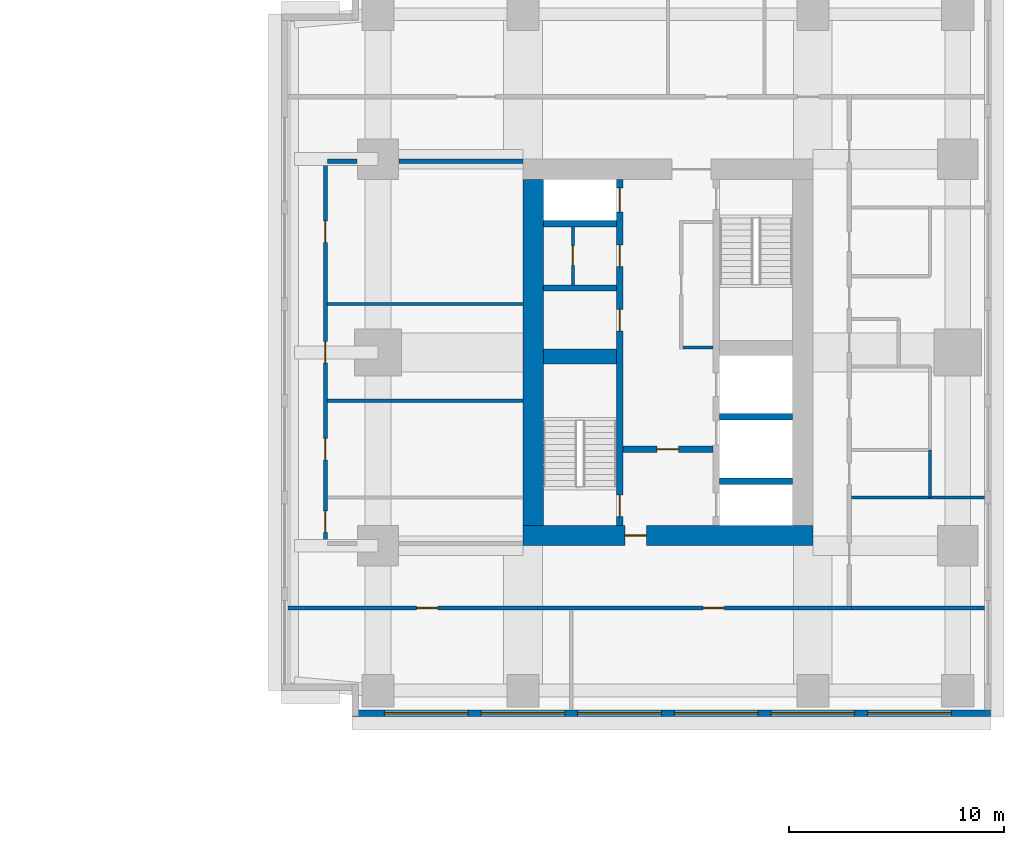
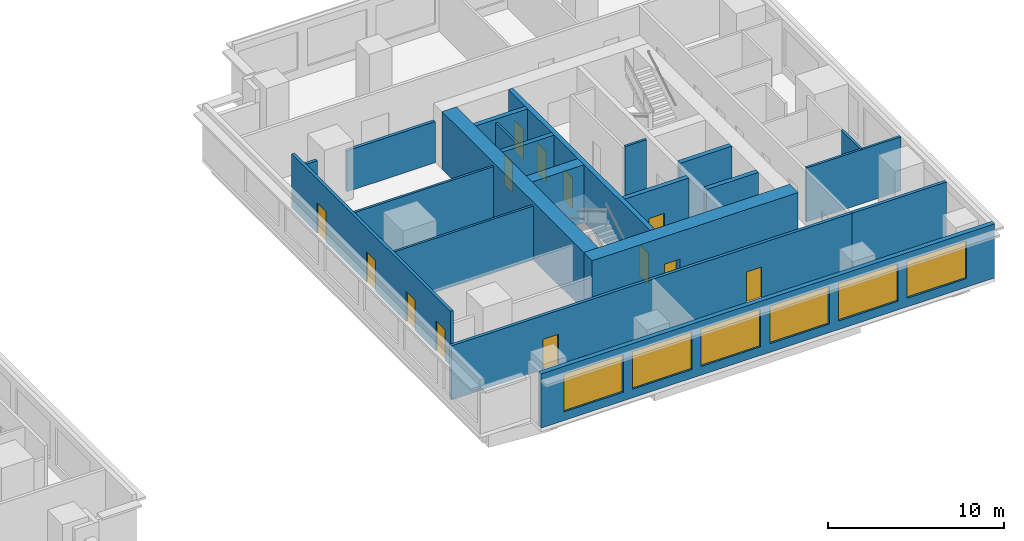
# One storey, part 6 of 10: 21 walls, 13 doors, 6 windows, 19 openings.
"""IFC4 building model written with IfcOpenShell, lengths in metres."""

from ifc_helpers import new_model, si_unit, direction, frame, frame_2d, origin, place, context, subcontext, project, spatial, rectangle, extrude, material, layer, layer_set, type_object, element, fill, save


model = new_model("IFC4")

# Units and contexts
model_context = context("Model", 3, precision=1e-05, world=origin(), true_north=direction((0.0, 1.0)))
body_context = subcontext(model_context, "Body", "Model", "MODEL_VIEW")
ifc_project = project(units=[si_unit("LENGTHUNIT", "METRE"), si_unit("AREAUNIT", "SQUARE_METRE"), si_unit("VOLUMEUNIT", "CUBIC_METRE"), si_unit("PLANEANGLEUNIT", "RADIAN"), si_unit("MASSUNIT", "GRAM", prefix="KILO")], contexts=[model_context])

# Site, building, storey
site_placement = place(None, origin())
site = spatial("IfcSite", under=ifc_project, at=site_placement, CompositionType="ELEMENT")
building_placement = place(site_placement, origin())
building = spatial("IfcBuilding", under=site, at=building_placement, Name="Namib Vertical Campus", CompositionType="ELEMENT")
storey_placement = place(building_placement, frame((0.0, 0.0, 153.0)))
storey = spatial("IfcBuildingStorey", under=building, at=storey_placement, Name="L36", CompositionType="ELEMENT", Elevation=153.0)

# Wall, openings, doors
ifc_material_1 = material(Name="Concrete C60/75", Category="concrete")
ifc_layer_1 = layer(ifc_material_1, 0.300048828125)
ifc_layer_set_1 = layer_set([ifc_layer_1], Name="Concrete C60/75")
wall_type_1 = type_object("IfcWallType", Name="Core inner wall 300", PredefinedType="SHEAR", material=ifc_layer_set_1)
wall_1_placement = place(storey_placement, frame((78.75, 12.199951171875, 0.0), z_axis=(0.0, 0.0, 1.0), x_axis=(0.0, 1.0, 0.0)))
wall_1 = element("IfcWall", 1, at=wall_1_placement, inside=storey, type_object=wall_type_1, Name="Core inner wall B L36 W1", PredefinedType="SHEAR", context=body_context, shape_type="SweptSolid", body=[
    extrude(rectangle(XDim=16.10009765625, YDim=0.300048828125, at=frame_2d((8.050048828125, 0.0))), origin(), (0.0, 0.0, 1.0), 4.0),
])
opening_1_placement = place(wall_1_placement, frame((0.39990234375, 0.0, 0.0)))
opening_1 = element("IfcOpeningElement", 2, at=opening_1_placement, cuts=wall_1, Name="Opening FD1", PredefinedType="OPENING", context=body_context, shape_type="SweptSolid", body=[
    extrude(rectangle(XDim=1.0, YDim=2.10009765625, at=frame_2d((0.5, 1.050048828125))), frame((0.0, 0.159912109375, 0.0), z_axis=(0.0, -1.0, 0.0), x_axis=(1.0, 0.0, 0.0)), (0.0, 0.0, 1.0), 0.320068359375),
])
opening_2_placement = place(wall_1_placement, frame((14.60009765625, 0.0, 0.0)))
opening_2 = element("IfcOpeningElement", 3, at=opening_2_placement, cuts=wall_1, Name="Opening LD1", PredefinedType="OPENING", context=body_context, shape_type="SweptSolid", body=[
    extrude(rectangle(XDim=1.10009765625, YDim=2.10009765625, at=frame_2d((0.550048828125, 1.050048828125))), frame((0.0, 0.159912109375, 0.0), z_axis=(0.0, -1.0, 0.0), x_axis=(1.0, 0.0, 0.0)), (0.0, 0.0, 1.0), 0.320068359375),
])
opening_3_placement = place(wall_1_placement, frame((9.050048828125, 0.0, 0.0)))
opening_3 = element("IfcOpeningElement", 4, at=opening_3_placement, cuts=wall_1, Name="Opening D1", PredefinedType="OPENING", context=body_context, shape_type="SweptSolid", body=[
    extrude(rectangle(XDim=1.0, YDim=2.10009765625, at=frame_2d((0.5, 1.050048828125))), frame((0.0, 0.159912109375, 0.0), z_axis=(0.0, -1.0, 0.0), x_axis=(1.0, 0.0, 0.0)), (0.0, 0.0, 1.0), 0.320068359375),
])
opening_4_placement = place(wall_1_placement, frame((12.050048828125, 0.0, 0.0)))
opening_4 = element("IfcOpeningElement", 5, at=opening_4_placement, cuts=wall_1, Name="Opening D1", PredefinedType="OPENING", context=body_context, shape_type="SweptSolid", body=[
    extrude(rectangle(XDim=1.0, YDim=2.10009765625, at=frame_2d((0.5, 1.050048828125))), frame((0.0, 0.159912109375, 0.0), z_axis=(0.0, -1.0, 0.0), x_axis=(1.0, 0.0, 0.0)), (0.0, 0.0, 1.0), 0.320068359375),
])
ifc_material_2 = material(Name="Timber door leaf", Category="wood")
door_type_1 = type_object("IfcDoorType", Name="Door single 1000x2100", OperationType="SINGLE_SWING_LEFT", PredefinedType="DOOR", material=ifc_material_2)
door_1_placement = place(opening_3_placement, origin())
door_1 = element("IfcDoor", 6, at=door_1_placement, inside=storey, type_object=door_type_1, Name="Door D1 Staff pantry B L36 P1", OperationType="SINGLE_SWING_LEFT", OverallHeight=2.10009765625, OverallWidth=1.0, PredefinedType="DOOR", context=body_context, shape_type="SweptSolid", body=[
    extrude(rectangle(XDim=1.0, YDim=2.10009765625, at=frame_2d((0.5, 1.050048828125))), frame((0.0, 0.02490234375, 0.0), z_axis=(0.0, -1.0, 0.0), x_axis=(1.0, 0.0, 0.0)), (0.0, 0.0, 1.0), 0.050048828125),
])
fill(opening_3, door_1)
door_2_placement = place(opening_4_placement, origin())
door_2 = element("IfcDoor", 7, at=door_2_placement, inside=storey, type_object=door_type_1, Name="Door D1 Records store B L36 P2", OperationType="SINGLE_SWING_LEFT", OverallHeight=2.10009765625, OverallWidth=1.0, PredefinedType="DOOR", context=body_context, shape_type="SweptSolid", body=[
    extrude(rectangle(XDim=1.0, YDim=2.10009765625, at=frame_2d((0.5, 1.050048828125))), frame((0.0, 0.02490234375, 0.0), z_axis=(0.0, -1.0, 0.0), x_axis=(1.0, 0.0, 0.0)), (0.0, 0.0, 1.0), 0.050048828125),
])
fill(opening_4, door_2)
ifc_material_3 = material(Name="Steel fire door", Category="steel")
door_type_2 = type_object("IfcDoorType", Name="Fire door 1000x2100", OperationType="SINGLE_SWING_RIGHT", PredefinedType="DOOR", material=ifc_material_3)
door_3_placement = place(opening_1_placement, origin())
door_3 = element("IfcDoor", 8, at=door_3_placement, inside=storey, type_object=door_type_2, Name="Stair door FD1 B L36 S1", OperationType="SINGLE_SWING_LEFT", OverallHeight=2.10009765625, OverallWidth=1.0, PredefinedType="DOOR", context=body_context, shape_type="SweptSolid", body=[
    extrude(rectangle(XDim=1.0, YDim=2.10009765625, at=frame_2d((0.5, 1.050048828125))), frame((0.0, 0.02490234375, 0.0), z_axis=(0.0, -1.0, 0.0), x_axis=(1.0, 0.0, 0.0)), (0.0, 0.0, 1.0), 0.050048828125),
])
fill(opening_1, door_3)
ifc_material_4 = material(Name="Stainless steel lift door", Category="steel")
door_type_3 = type_object("IfcDoorType", Name="Lift landing door 1100x2100", OperationType="DOUBLE_DOOR_SLIDING", PredefinedType="DOOR", material=ifc_material_4)
door_4_placement = place(opening_2_placement, origin())
door_4 = element("IfcDoor", 9, at=door_4_placement, inside=storey, type_object=door_type_3, Name="Lift landing door LD1 B-P3 L36", OperationType="DOUBLE_DOOR_SLIDING", OverallHeight=2.10009765625, OverallWidth=1.10009765625, PredefinedType="DOOR", context=body_context, shape_type="SweptSolid", body=[
    extrude(rectangle(XDim=1.10009765625, YDim=2.10009765625, at=frame_2d((0.550048828125, 1.050048828125))), frame((0.0, 0.02490234375, 0.0), z_axis=(0.0, -1.0, 0.0), x_axis=(1.0, 0.0, 0.0)), (0.0, 0.0, 1.0), 0.050048828125),
])
fill(opening_2, door_4)

# Wall, opening, door
wall_2_placement = place(storey_placement, frame((78.89990234375, 15.75, 0.0), z_axis=(0.0, 0.0, 1.0), x_axis=(1.0, 0.0, 0.0)))
wall_2 = element("IfcWall", 10, at=wall_2_placement, inside=storey, type_object=wall_type_1, Name="Core inner wall B L36 W4", PredefinedType="SHEAR", context=body_context, shape_type="SweptSolid", body=[
    extrude(rectangle(XDim=4.2001953125, YDim=0.300048828125, at=frame_2d((2.10009765625, 0.0))), origin(), (0.0, 0.0, 1.0), 4.0),
])
opening_5_placement = place(wall_2_placement, frame((1.60009765625, 0.0, 0.0)))
opening_5 = element("IfcOpeningElement", 11, at=opening_5_placement, cuts=wall_2, Name="Opening FD5", PredefinedType="OPENING", context=body_context, shape_type="SweptSolid", body=[
    extrude(rectangle(XDim=1.0, YDim=2.10009765625, at=frame_2d((0.5, 1.050048828125))), frame((0.0, 0.159912109375, 0.0), z_axis=(0.0, -1.0, 0.0), x_axis=(1.0, 0.0, 0.0)), (0.0, 0.0, 1.0), 0.320068359375),
])
ifc_material_5 = material(Name="Steel fire door", Category="steel")
door_type_4 = type_object("IfcDoorType", Name="Fire door 1000x2100 120 min", OperationType="SINGLE_SWING_RIGHT", PredefinedType="DOOR", material=ifc_material_5)
door_5_placement = place(opening_5_placement, frame((1.0, 0.0, 0.0), z_axis=(0.0, 0.0, 1.0), x_axis=(-1.0, 0.0, 0.0)))
door_5 = element("IfcDoor", 12, at=door_5_placement, inside=storey, type_object=door_type_4, Name="Lobby door FD5 B L36", OperationType="SINGLE_SWING_RIGHT", OverallHeight=2.10009765625, OverallWidth=1.0, PredefinedType="DOOR", context=body_context, shape_type="SweptSolid", body=[
    extrude(rectangle(XDim=1.0, YDim=2.10009765625, at=frame_2d((0.5, 1.050048828125))), frame((0.0, 0.02490234375, 0.0), z_axis=(0.0, -1.0, 0.0), x_axis=(1.0, 0.0, 0.0)), (0.0, 0.0, 1.0), 0.050048828125),
])
fill(opening_5, door_5)

# Walls
for number, where, z_axis, x_axis, name in (
    (13, (83.39990234375, 14.25, 0.0), (0.0, 0.0, 1.0), (1.0, 0.0, 0.0), "Core inner wall B L36 W5"),
    (14, (83.39990234375, 17.25, 0.0), (0.0, 0.0, 1.0), (1.0, 0.0, 0.0), "Core inner wall B L36 W6"),
    (15, (75.199951171875, 23.25, 0.0), (0.0, 0.0, 1.0), (1.0, 0.0, 0.0), "Core inner wall B L36 W8"),
    (16, (75.199951171875, 26.25, 0.0), (0.0, 0.0, 1.0), (1.0, 0.0, 0.0), "Core inner wall B L36 W9"),
):
    element("IfcWall", number, at=place(storey_placement, frame(where, z_axis=z_axis, x_axis=x_axis)), inside=storey, type_object=wall_type_1, Name=name, PredefinedType="SHEAR", context=body_context, shape_type="SweptSolid", body=[
        extrude(rectangle(XDim=3.400146484375, YDim=0.300048828125, at=frame_2d((1.7001953125, 0.0))), origin(), (0.0, 0.0, 1.0), 4.0),
    ])
ifc_material_6 = material(Name="Concrete C60/75", Category="concrete")
ifc_layer_2 = layer(ifc_material_6, 0.699951171875)
ifc_layer_set_2 = layer_set([ifc_layer_2], Name="Concrete C60/75")
wall_type_2 = type_object("IfcWallType", Name="Core shear wall 700", PredefinedType="SHEAR", material=ifc_layer_set_2)
wall_3_placement = place(storey_placement, frame((75.199951171875, 20.050048828125, 0.0), z_axis=(0.0, 0.0, 1.0), x_axis=(1.0, 0.0, 0.0)))
element("IfcWall", 17, at=wall_3_placement, inside=storey, type_object=wall_type_2, Name="Core shear wall B L36 W3", PredefinedType="SHEAR", context=body_context, shape_type="SweptSolid", body=[
    extrude(rectangle(XDim=3.400146484375, YDim=0.699951171875, at=frame_2d((1.7001953125, 0.0))), origin(), (0.0, 0.0, 1.0), 4.0),
])

# Wall, opening, door
ifc_material_7 = material(Name="Concrete C60/75", Category="concrete")
ifc_layer_3 = layer(ifc_material_7, 0.949951171875)
ifc_layer_set_3 = layer_set([ifc_layer_3], Name="Concrete C60/75")
wall_type_3 = type_object("IfcWallType", Name="Core wall 950", PredefinedType="SHEAR", material=ifc_layer_set_3)
wall_4_placement = place(storey_placement, frame((74.25, 11.72509765625, 0.0), z_axis=(0.0, 0.0, 1.0), x_axis=(1.0, 0.0, 0.0)))
wall_4 = element("IfcWall", 18, at=wall_4_placement, inside=storey, type_object=wall_type_3, Name="Core wall B L36 1", PredefinedType="SHEAR", context=body_context, shape_type="SweptSolid", body=[
    extrude(rectangle(XDim=13.5, YDim=0.949951171875, at=frame_2d((6.75, 0.0))), origin(), (0.0, 0.0, 1.0), 4.0),
])
opening_6_placement = place(wall_4_placement, frame((4.75, 0.0, 0.0)))
opening_6 = element("IfcOpeningElement", 19, at=opening_6_placement, cuts=wall_4, Name="Opening FD5", PredefinedType="OPENING", context=body_context, shape_type="SweptSolid", body=[
    extrude(rectangle(XDim=1.0, YDim=2.10009765625, at=frame_2d((0.5, 1.050048828125))), frame((0.0, 0.48486328125, 0.0), z_axis=(0.0, -1.0, 0.0), x_axis=(1.0, 0.0, 0.0)), (0.0, 0.0, 1.0), 0.969970703125),
])
door_6_placement = place(opening_6_placement, origin())
door_6 = element("IfcDoor", 20, at=door_6_placement, inside=storey, type_object=door_type_4, Name="Firefighting lobby door FD5 B L36", OperationType="SINGLE_SWING_LEFT", OverallHeight=2.10009765625, OverallWidth=1.0, PredefinedType="DOOR", context=body_context, shape_type="SweptSolid", body=[
    extrude(rectangle(XDim=1.0, YDim=2.10009765625, at=frame_2d((0.5, 1.050048828125))), frame((0.0, 0.02490234375, 0.0), z_axis=(0.0, -1.0, 0.0), x_axis=(1.0, 0.0, 0.0)), (0.0, 0.0, 1.0), 0.050048828125),
])
fill(opening_6, door_6)

# Wall
wall_5_placement = place(storey_placement, frame((74.72509765625, 28.300048828125, 0.0), z_axis=(0.0, 0.0, 1.0), x_axis=(0.0, -1.0, 0.0)))
element("IfcWall", 21, at=wall_5_placement, inside=storey, type_object=wall_type_3, Name="Core wall B L36 4", PredefinedType="SHEAR", context=body_context, shape_type="SweptSolid", body=[
    extrude(rectangle(XDim=16.10009765625, YDim=0.949951171875, at=frame_2d((8.050048828125, 0.0))), origin(), (0.0, 0.0, 1.0), 4.0),
])

# Wall, openings, doors
ifc_material_8 = material(Name="Concrete masonry", Category="masonry")
ifc_layer_4 = layer(ifc_material_8, 0.199951171875)
ifc_layer_set_4 = layer_set([ifc_layer_4], Name="Corridor wall 200")
wall_type_4 = type_object("IfcWallType", Name="Corridor wall 200", PredefinedType="SOLIDWALL", material=ifc_layer_set_4)
wall_6_placement = place(storey_placement, frame((63.300048828125, 8.35009765625, 0.0), z_axis=(0.0, 0.0, 1.0), x_axis=(1.0, 0.0, 0.0)))
wall_6 = element("IfcWall", 22, at=wall_6_placement, inside=storey, type_object=wall_type_4, Name="Corridor wall B L36 CS", PredefinedType="SOLIDWALL", context=body_context, shape_type="SweptSolid", body=[
    extrude(rectangle(XDim=26.25, YDim=0.199951171875, at=frame_2d((13.125, 0.0))), origin(), (0.0, 0.0, 1.0), 3.75),
])
opening_7_placement = place(wall_6_placement, frame((6.0, 0.0, 0.0)))
opening_7 = element("IfcOpeningElement", 23, at=opening_7_placement, cuts=wall_6, Name="Opening CD1", PredefinedType="OPENING", context=body_context, shape_type="SweptSolid", body=[
    extrude(rectangle(XDim=1.0, YDim=2.10009765625, at=frame_2d((0.5, 1.050048828125))), frame((0.0, 0.10986328125, 0.0), z_axis=(0.0, -1.0, 0.0), x_axis=(1.0, 0.0, 0.0)), (0.0, 0.0, 1.0), 0.219970703125),
])
opening_8_placement = place(wall_6_placement, frame((19.324951171875, 0.0, 0.0)))
opening_8 = element("IfcOpeningElement", 24, at=opening_8_placement, cuts=wall_6, Name="Opening CD1", PredefinedType="OPENING", context=body_context, shape_type="SweptSolid", body=[
    extrude(rectangle(XDim=1.0, YDim=2.10009765625, at=frame_2d((0.5, 1.050048828125))), frame((0.0, 0.10986328125, 0.0), z_axis=(0.0, -1.0, 0.0), x_axis=(1.0, 0.0, 0.0)), (0.0, 0.0, 1.0), 0.219970703125),
])
ifc_material_9 = material(Name="Timber fire door leaf", Category="wood")
door_type_5 = type_object("IfcDoorType", Name="Corridor door 1000x2100 20 min", OperationType="SINGLE_SWING_LEFT", PredefinedType="DOOR", material=ifc_material_9)
door_7_placement = place(opening_7_placement, frame((1.0, 0.0, 0.0), z_axis=(0.0, 0.0, 1.0), x_axis=(-1.0, 0.0, 0.0)))
door_7 = element("IfcDoor", 25, at=door_7_placement, inside=storey, type_object=door_type_5, Name="Door CD1 B36-01", OperationType="SINGLE_SWING_LEFT", OverallHeight=2.10009765625, OverallWidth=1.0, PredefinedType="DOOR", context=body_context, shape_type="SweptSolid", body=[
    extrude(rectangle(XDim=1.0, YDim=2.10009765625, at=frame_2d((0.5, 1.050048828125))), frame((0.0, 0.02490234375, 0.0), z_axis=(0.0, -1.0, 0.0), x_axis=(1.0, 0.0, 0.0)), (0.0, 0.0, 1.0), 0.050048828125),
])
fill(opening_7, door_7)
door_8_placement = place(opening_8_placement, frame((1.0, 0.0, 0.0), z_axis=(0.0, 0.0, 1.0), x_axis=(-1.0, 0.0, 0.0)))
door_8 = element("IfcDoor", 26, at=door_8_placement, inside=storey, type_object=door_type_5, Name="Door CD1 B36-02", OperationType="SINGLE_SWING_RIGHT", OverallHeight=2.10009765625, OverallWidth=1.0, PredefinedType="DOOR", context=body_context, shape_type="SweptSolid", body=[
    extrude(rectangle(XDim=1.0, YDim=2.10009765625, at=frame_2d((0.5, 1.050048828125))), frame((0.0, 0.02490234375, 0.0), z_axis=(0.0, -1.0, 0.0), x_axis=(1.0, 0.0, 0.0)), (0.0, 0.0, 1.0), 0.050048828125),
])
fill(opening_8, door_8)

wall_7_placement = place(storey_placement, frame((65.050048828125, 29.25, 0.0), z_axis=(0.0, 0.0, 1.0), x_axis=(0.0, -1.0, 0.0)))
wall_7 = element("IfcWall", 27, at=wall_7_placement, inside=storey, type_object=wall_type_4, Name="Corridor wall B L36 CG", PredefinedType="SOLIDWALL", context=body_context, shape_type="SweptSolid", body=[
    extrude(rectangle(XDim=18.0, YDim=0.199951171875, at=frame_2d((9.0, 0.0))), origin(), (0.0, 0.0, 1.0), 3.75),
])
opening_9_placement = place(wall_7_placement, frame((16.375, 0.0, 0.0)))
opening_9 = element("IfcOpeningElement", 28, at=opening_9_placement, cuts=wall_7, Name="Opening CD1", PredefinedType="OPENING", context=body_context, shape_type="SweptSolid", body=[
    extrude(rectangle(XDim=1.0, YDim=2.10009765625, at=frame_2d((0.5, 1.050048828125))), frame((0.0, 0.10986328125, 0.0), z_axis=(0.0, -1.0, 0.0), x_axis=(1.0, 0.0, 0.0)), (0.0, 0.0, 1.0), 0.219970703125),
])
opening_10_placement = place(wall_7_placement, frame((13.0, 0.0, 0.0)))
opening_10 = element("IfcOpeningElement", 29, at=opening_10_placement, cuts=wall_7, Name="Opening CD1", PredefinedType="OPENING", context=body_context, shape_type="SweptSolid", body=[
    extrude(rectangle(XDim=1.0, YDim=2.10009765625, at=frame_2d((0.5, 1.050048828125))), frame((0.0, 0.10986328125, 0.0), z_axis=(0.0, -1.0, 0.0), x_axis=(1.0, 0.0, 0.0)), (0.0, 0.0, 1.0), 0.219970703125),
])
opening_11_placement = place(wall_7_placement, frame((8.5, 0.0, 0.0)))
opening_11 = element("IfcOpeningElement", 30, at=opening_11_placement, cuts=wall_7, Name="Opening CD1", PredefinedType="OPENING", context=body_context, shape_type="SweptSolid", body=[
    extrude(rectangle(XDim=1.0, YDim=2.10009765625, at=frame_2d((0.5, 1.050048828125))), frame((0.0, 0.10986328125, 0.0), z_axis=(0.0, -1.0, 0.0), x_axis=(1.0, 0.0, 0.0)), (0.0, 0.0, 1.0), 0.219970703125),
])
opening_12_placement = place(wall_7_placement, frame((2.875, 0.0, 0.0)))
opening_12 = element("IfcOpeningElement", 31, at=opening_12_placement, cuts=wall_7, Name="Opening CD1", PredefinedType="OPENING", context=body_context, shape_type="SweptSolid", body=[
    extrude(rectangle(XDim=1.0, YDim=2.10009765625, at=frame_2d((0.5, 1.050048828125))), frame((0.0, 0.10986328125, 0.0), z_axis=(0.0, -1.0, 0.0), x_axis=(1.0, 0.0, 0.0)), (0.0, 0.0, 1.0), 0.219970703125),
])
door_9_placement = place(opening_9_placement, origin())
door_9 = element("IfcDoor", 32, at=door_9_placement, inside=storey, type_object=door_type_5, Name="Door CD1 B36-13", OperationType="SINGLE_SWING_LEFT", OverallHeight=2.10009765625, OverallWidth=1.0, PredefinedType="DOOR", context=body_context, shape_type="SweptSolid", body=[
    extrude(rectangle(XDim=1.0, YDim=2.10009765625, at=frame_2d((0.5, 1.050048828125))), frame((0.0, 0.02490234375, 0.0), z_axis=(0.0, -1.0, 0.0), x_axis=(1.0, 0.0, 0.0)), (0.0, 0.0, 1.0), 0.050048828125),
])
fill(opening_9, door_9)
door_10_placement = place(opening_10_placement, origin())
door_10 = element("IfcDoor", 33, at=door_10_placement, inside=storey, type_object=door_type_5, Name="Door CD1 B36-14", OperationType="SINGLE_SWING_LEFT", OverallHeight=2.10009765625, OverallWidth=1.0, PredefinedType="DOOR", context=body_context, shape_type="SweptSolid", body=[
    extrude(rectangle(XDim=1.0, YDim=2.10009765625, at=frame_2d((0.5, 1.050048828125))), frame((0.0, 0.02490234375, 0.0), z_axis=(0.0, -1.0, 0.0), x_axis=(1.0, 0.0, 0.0)), (0.0, 0.0, 1.0), 0.050048828125),
])
fill(opening_10, door_10)
door_11_placement = place(opening_11_placement, origin())
door_11 = element("IfcDoor", 34, at=door_11_placement, inside=storey, type_object=door_type_5, Name="Door CD1 B36-15", OperationType="SINGLE_SWING_LEFT", OverallHeight=2.10009765625, OverallWidth=1.0, PredefinedType="DOOR", context=body_context, shape_type="SweptSolid", body=[
    extrude(rectangle(XDim=1.0, YDim=2.10009765625, at=frame_2d((0.5, 1.050048828125))), frame((0.0, 0.02490234375, 0.0), z_axis=(0.0, -1.0, 0.0), x_axis=(1.0, 0.0, 0.0)), (0.0, 0.0, 1.0), 0.050048828125),
])
fill(opening_11, door_11)
door_12_placement = place(opening_12_placement, origin())
door_12 = element("IfcDoor", 35, at=door_12_placement, inside=storey, type_object=door_type_5, Name="Door CD1 B36-16", OperationType="SINGLE_SWING_LEFT", OverallHeight=2.10009765625, OverallWidth=1.0, PredefinedType="DOOR", context=body_context, shape_type="SweptSolid", body=[
    extrude(rectangle(XDim=1.0, YDim=2.10009765625, at=frame_2d((0.5, 1.050048828125))), frame((0.0, 0.02490234375, 0.0), z_axis=(0.0, -1.0, 0.0), x_axis=(1.0, 0.0, 0.0)), (0.0, 0.0, 1.0), 0.050048828125),
])
fill(opening_12, door_12)

# Walls
wall_8_placement = place(storey_placement, frame((65.14990234375, 29.14990234375, 0.0), z_axis=(0.0, 0.0, 1.0), x_axis=(1.0, 0.0, 0.0)))
element("IfcWall", 36, at=wall_8_placement, inside=storey, type_object=wall_type_4, Name="Corridor wall B L36 GN", PredefinedType="SOLIDWALL", context=body_context, shape_type="SweptSolid", body=[
    extrude(rectangle(XDim=1.380126953125, YDim=0.199951171875, at=frame_2d((0.68994140625, 0.0))), origin(), (0.0, 0.0, 1.0), 2.85009765625),
])
wall_9_placement = place(storey_placement, frame((68.469970703125, 29.14990234375, 0.0), z_axis=(0.0, 0.0, 1.0), x_axis=(1.0, 0.0, 0.0)))
element("IfcWall", 37, at=wall_9_placement, inside=storey, type_object=wall_type_4, Name="Corridor wall B L36 GN", PredefinedType="SOLIDWALL", context=body_context, shape_type="SweptSolid", body=[
    extrude(rectangle(XDim=5.780029296875, YDim=0.199951171875, at=frame_2d((2.89013671875, 0.0))), origin(), (0.0, 0.0, 1.0), 2.85009765625),
])
wall_10_placement = place(storey_placement, frame((89.550048828125, 8.35009765625, 0.0), z_axis=(0.0, 0.0, 1.0), x_axis=(1.0, 0.0, 0.0)))
element("IfcWall", 38, at=wall_10_placement, inside=storey, type_object=wall_type_4, Name="Partition B L36 BSE", PredefinedType="SOLIDWALL", context=body_context, shape_type="SweptSolid", body=[
    extrude(rectangle(XDim=6.199951171875, YDim=0.199951171875, at=frame_2d((3.10009765625, 0.0))), origin(), (0.0, 0.0, 1.0), 3.75),
])

# Wall, openings, windows
ifc_material_10 = material(Name="Concrete C40/50", Category="concrete")
ifc_layer_5 = layer(ifc_material_10, 0.300048828125)
ifc_layer_set_5 = layer_set([ifc_layer_5], Name="Concrete C40/50")
wall_type_5 = type_object("IfcWallType", Name="External wall 300 board-marked concrete", PredefinedType="STANDARD", material=ifc_layer_set_5)
wall_11_placement = place(storey_placement, frame((66.320068359375, 3.449951171875, 0.0), z_axis=(0.0, 0.0, 1.0), x_axis=(1.0, 0.0, 0.0)))
wall_11 = element("IfcWall", 39, at=wall_11_placement, inside=storey, type_object=wall_type_5, Name="External wall L36 F03", PredefinedType="STANDARD", context=body_context, shape_type="SweptSolid", body=[
    extrude(rectangle(XDim=29.7099609375, YDim=0.300048828125, at=frame_2d((14.85498046875, 0.0))), origin(), (0.0, 0.0, 1.0), 3.75),
])
opening_13_placement = place(wall_11_placement, frame((1.47998046875, 0.0, 0.60009765625)))
opening_13 = element("IfcOpeningElement", 40, at=opening_13_placement, cuts=wall_11, Name="Opening W2", PredefinedType="OPENING", context=body_context, shape_type="SweptSolid", body=[
    extrude(rectangle(XDim=3.89990234375, YDim=2.60009765625, at=frame_2d((1.949951171875, 1.300048828125))), frame((0.0, 0.159912109375, 0.0), z_axis=(0.0, -1.0, 0.0), x_axis=(1.0, 0.0, 0.0)), (0.0, 0.0, 1.0), 0.320068359375),
])
opening_14_placement = place(wall_11_placement, frame((5.97998046875, 0.0, 0.60009765625)))
opening_14 = element("IfcOpeningElement", 41, at=opening_14_placement, cuts=wall_11, Name="Opening W2", PredefinedType="OPENING", context=body_context, shape_type="SweptSolid", body=[
    extrude(rectangle(XDim=3.89990234375, YDim=2.60009765625, at=frame_2d((1.949951171875, 1.300048828125))), frame((0.0, 0.159912109375, 0.0), z_axis=(0.0, -1.0, 0.0), x_axis=(1.0, 0.0, 0.0)), (0.0, 0.0, 1.0), 0.320068359375),
])
opening_15_placement = place(wall_11_placement, frame((10.47998046875, 0.0, 0.60009765625)))
opening_15 = element("IfcOpeningElement", 42, at=opening_15_placement, cuts=wall_11, Name="Opening W2", PredefinedType="OPENING", context=body_context, shape_type="SweptSolid", body=[
    extrude(rectangle(XDim=3.89990234375, YDim=2.60009765625, at=frame_2d((1.949951171875, 1.300048828125))), frame((0.0, 0.159912109375, 0.0), z_axis=(0.0, -1.0, 0.0), x_axis=(1.0, 0.0, 0.0)), (0.0, 0.0, 1.0), 0.320068359375),
])
opening_16_placement = place(wall_11_placement, frame((14.97998046875, 0.0, 0.60009765625)))
opening_16 = element("IfcOpeningElement", 43, at=opening_16_placement, cuts=wall_11, Name="Opening W2", PredefinedType="OPENING", context=body_context, shape_type="SweptSolid", body=[
    extrude(rectangle(XDim=3.89990234375, YDim=2.60009765625, at=frame_2d((1.949951171875, 1.300048828125))), frame((0.0, 0.159912109375, 0.0), z_axis=(0.0, -1.0, 0.0), x_axis=(1.0, 0.0, 0.0)), (0.0, 0.0, 1.0), 0.320068359375),
])
opening_17_placement = place(wall_11_placement, frame((19.47998046875, 0.0, 0.60009765625)))
opening_17 = element("IfcOpeningElement", 44, at=opening_17_placement, cuts=wall_11, Name="Opening W2", PredefinedType="OPENING", context=body_context, shape_type="SweptSolid", body=[
    extrude(rectangle(XDim=3.89990234375, YDim=2.60009765625, at=frame_2d((1.949951171875, 1.300048828125))), frame((0.0, 0.159912109375, 0.0), z_axis=(0.0, -1.0, 0.0), x_axis=(1.0, 0.0, 0.0)), (0.0, 0.0, 1.0), 0.320068359375),
])
opening_18_placement = place(wall_11_placement, frame((23.97998046875, 0.0, 0.60009765625)))
opening_18 = element("IfcOpeningElement", 45, at=opening_18_placement, cuts=wall_11, Name="Opening W2", PredefinedType="OPENING", context=body_context, shape_type="SweptSolid", body=[
    extrude(rectangle(XDim=3.89990234375, YDim=2.60009765625, at=frame_2d((1.949951171875, 1.300048828125))), frame((0.0, 0.159912109375, 0.0), z_axis=(0.0, -1.0, 0.0), x_axis=(1.0, 0.0, 0.0)), (0.0, 0.0, 1.0), 0.320068359375),
])
ifc_material_11 = material(Name="Dark tinted glass in black aluminium frame", Category="aluminium")
window_type = type_object("IfcWindowType", Name="Ribbon window 3900x2600", PartitioningType="SINGLE_PANEL", PredefinedType="WINDOW", material=ifc_material_11)
window_1_placement = place(opening_13_placement, origin())
window_1 = element("IfcWindow", 46, at=window_1_placement, inside=storey, type_object=window_type, Name="Window W2 L36 F03-1", OverallHeight=2.60009765625, OverallWidth=3.89990234375, PartitioningType="SINGLE_PANEL", PredefinedType="WINDOW", context=body_context, shape_type="SweptSolid", body=[
    extrude(rectangle(XDim=3.89990234375, YDim=2.60009765625, at=frame_2d((1.949951171875, 1.300048828125))), frame((0.0, 0.030029296875, 0.0), z_axis=(0.0, -1.0, 0.0), x_axis=(1.0, 0.0, 0.0)), (0.0, 0.0, 1.0), 0.06005859375),
])
fill(opening_13, window_1)
window_2_placement = place(opening_14_placement, origin())
window_2 = element("IfcWindow", 47, at=window_2_placement, inside=storey, type_object=window_type, Name="Window W2 L36 F03-2", OverallHeight=2.60009765625, OverallWidth=3.89990234375, PartitioningType="SINGLE_PANEL", PredefinedType="WINDOW", context=body_context, shape_type="SweptSolid", body=[
    extrude(rectangle(XDim=3.89990234375, YDim=2.60009765625, at=frame_2d((1.949951171875, 1.300048828125))), frame((0.0, 0.030029296875, 0.0), z_axis=(0.0, -1.0, 0.0), x_axis=(1.0, 0.0, 0.0)), (0.0, 0.0, 1.0), 0.06005859375),
])
fill(opening_14, window_2)
window_3_placement = place(opening_15_placement, origin())
window_3 = element("IfcWindow", 48, at=window_3_placement, inside=storey, type_object=window_type, Name="Window W2 L36 F03-3", OverallHeight=2.60009765625, OverallWidth=3.89990234375, PartitioningType="SINGLE_PANEL", PredefinedType="WINDOW", context=body_context, shape_type="SweptSolid", body=[
    extrude(rectangle(XDim=3.89990234375, YDim=2.60009765625, at=frame_2d((1.949951171875, 1.300048828125))), frame((0.0, 0.030029296875, 0.0), z_axis=(0.0, -1.0, 0.0), x_axis=(1.0, 0.0, 0.0)), (0.0, 0.0, 1.0), 0.06005859375),
])
fill(opening_15, window_3)
window_4_placement = place(opening_16_placement, origin())
window_4 = element("IfcWindow", 49, at=window_4_placement, inside=storey, type_object=window_type, Name="Window W2 L36 F03-4", OverallHeight=2.60009765625, OverallWidth=3.89990234375, PartitioningType="SINGLE_PANEL", PredefinedType="WINDOW", context=body_context, shape_type="SweptSolid", body=[
    extrude(rectangle(XDim=3.89990234375, YDim=2.60009765625, at=frame_2d((1.949951171875, 1.300048828125))), frame((0.0, 0.030029296875, 0.0), z_axis=(0.0, -1.0, 0.0), x_axis=(1.0, 0.0, 0.0)), (0.0, 0.0, 1.0), 0.06005859375),
])
fill(opening_16, window_4)
window_5_placement = place(opening_17_placement, origin())
window_5 = element("IfcWindow", 50, at=window_5_placement, inside=storey, type_object=window_type, Name="Window W2 L36 F03-5", OverallHeight=2.60009765625, OverallWidth=3.89990234375, PartitioningType="SINGLE_PANEL", PredefinedType="WINDOW", context=body_context, shape_type="SweptSolid", body=[
    extrude(rectangle(XDim=3.89990234375, YDim=2.60009765625, at=frame_2d((1.949951171875, 1.300048828125))), frame((0.0, 0.030029296875, 0.0), z_axis=(0.0, -1.0, 0.0), x_axis=(1.0, 0.0, 0.0)), (0.0, 0.0, 1.0), 0.06005859375),
])
fill(opening_17, window_5)
window_6_placement = place(opening_18_placement, origin())
window_6 = element("IfcWindow", 51, at=window_6_placement, inside=storey, type_object=window_type, Name="Window W2 L36 F03-6", OverallHeight=2.60009765625, OverallWidth=3.89990234375, PartitioningType="SINGLE_PANEL", PredefinedType="WINDOW", context=body_context, shape_type="SweptSolid", body=[
    extrude(rectangle(XDim=3.89990234375, YDim=2.60009765625, at=frame_2d((1.949951171875, 1.300048828125))), frame((0.0, 0.030029296875, 0.0), z_axis=(0.0, -1.0, 0.0), x_axis=(1.0, 0.0, 0.0)), (0.0, 0.0, 1.0), 0.06005859375),
])
fill(opening_18, window_6)

# Wall
ifc_material_12 = material(Name="Gypsum board on steel studs", Category="steel")
ifc_layer_6 = layer(ifc_material_12, 0.14990234375)
ifc_layer_set_6 = layer_set([ifc_layer_6], Name="Gypsum board on steel studs")
wall_type_6 = type_object("IfcWallType", Name="Partition 150", PredefinedType="PARTITIONING", material=ifc_layer_set_6)
wall_12_placement = place(storey_placement, frame((81.699951171875, 20.47509765625, 0.0), z_axis=(0.0, 0.0, 1.0), x_axis=(1.0, 0.0, 0.0)))
element("IfcWall", 52, at=wall_12_placement, inside=storey, type_object=wall_type_6, Name="Partition B L36 Store end 1", PredefinedType="PARTITIONING", context=body_context, shape_type="SweptSolid", body=[
    extrude(rectangle(XDim=1.400146484375, YDim=0.14990234375, at=frame_2d((0.7001953125, 0.0))), origin(), (0.0, 0.0, 1.0), 3.75),
])

# Wall, opening, door
wall_13_placement = place(storey_placement, frame((76.574951171875, 23.39990234375, 0.0), z_axis=(0.0, 0.0, 1.0), x_axis=(0.0, 1.0, 0.0)))
wall_13 = element("IfcWall", 53, at=wall_13_placement, inside=storey, type_object=wall_type_6, Name="Partition B L36 Records store P2 back", PredefinedType="PARTITIONING", context=body_context, shape_type="SweptSolid", body=[
    extrude(rectangle(XDim=2.7001953125, YDim=0.14990234375, at=frame_2d((1.35009765625, 0.0))), origin(), (0.0, 0.0, 1.0), 3.75),
])
opening_19_placement = place(wall_13_placement, frame((0.89990234375, 0.0, 0.0)))
opening_19 = element("IfcOpeningElement", 54, at=opening_19_placement, cuts=wall_13, Name="Opening D3", PredefinedType="OPENING", context=body_context, shape_type="SweptSolid", body=[
    extrude(rectangle(XDim=0.89990234375, YDim=2.10009765625, at=frame_2d((0.449951171875, 1.050048828125))), frame((0.0, 0.0849609375, 0.0), z_axis=(0.0, -1.0, 0.0), x_axis=(1.0, 0.0, 0.0)), (0.0, 0.0, 1.0), 0.169921875),
])
ifc_material_13 = material(Name="Timber door leaf", Category="wood")
door_type_6 = type_object("IfcDoorType", Name="Toilet door 900x2100", OperationType="SINGLE_SWING_LEFT", PredefinedType="DOOR", material=ifc_material_13)
door_13_placement = place(opening_19_placement, origin())
door_13 = element("IfcDoor", 55, at=door_13_placement, inside=storey, type_object=door_type_6, Name="Door D3 Store B L36 P2", OperationType="SINGLE_SWING_LEFT", OverallHeight=2.10009765625, OverallWidth=0.89990234375, PredefinedType="DOOR", context=body_context, shape_type="SweptSolid", body=[
    extrude(rectangle(XDim=0.89990234375, YDim=2.10009765625, at=frame_2d((0.449951171875, 1.050048828125))), frame((0.0, 0.02490234375, 0.0), z_axis=(0.0, -1.0, 0.0), x_axis=(1.0, 0.0, 0.0)), (0.0, 0.0, 1.0), 0.050048828125),
])
fill(opening_19, door_13)

# Walls
wall_14_placement = place(storey_placement, frame((89.550048828125, 13.5, 0.0), z_axis=(0.0, 0.0, 1.0), x_axis=(1.0, 0.0, 0.0)))
element("IfcWall", 56, at=wall_14_placement, inside=storey, type_object=wall_type_6, Name="Partition B L36 PE1", PredefinedType="PARTITIONING", context=body_context, shape_type="SweptSolid", body=[
    extrude(rectangle(XDim=6.199951171875, YDim=0.14990234375, at=frame_2d((3.10009765625, 0.0))), origin(), (0.0, 0.0, 1.0), 3.75),
])
for number, where, z_axis, x_axis, name in (
    (57, (65.14990234375, 18.0, 0.0), (0.0, 0.0, 1.0), (1.0, 0.0, 0.0), "Partition B L36 PW2"),
    (58, (65.14990234375, 22.5, 0.0), (0.0, 0.0, 1.0), (1.0, 0.0, 0.0), "Partition B L36 PW3"),
):
    element("IfcWall", number, at=place(storey_placement, frame(where, z_axis=z_axis, x_axis=x_axis)), inside=storey, type_object=wall_type_6, Name=name, PredefinedType="PARTITIONING", context=body_context, shape_type="SweptSolid", body=[
        extrude(rectangle(XDim=9.10009765625, YDim=0.14990234375, at=frame_2d((4.550048828125, 0.0))), origin(), (0.0, 0.0, 1.0), 3.75),
    ])
wall_15_placement = place(storey_placement, frame((93.199951171875, 13.5, 0.0), z_axis=(0.0, 0.0, 1.0), x_axis=(0.0, 1.0, 0.0)))
element("IfcWall", 59, at=wall_15_placement, inside=storey, type_object=wall_type_6, Name="Partition B L36 WB1", PredefinedType="PARTITIONING", context=body_context, shape_type="SweptSolid", body=[
    extrude(rectangle(XDim=2.199951171875, YDim=0.14990234375, at=frame_2d((1.10009765625, 0.0))), origin(), (0.0, 0.0, 1.0), 3.75),
])

save(model, "model.ifc")
